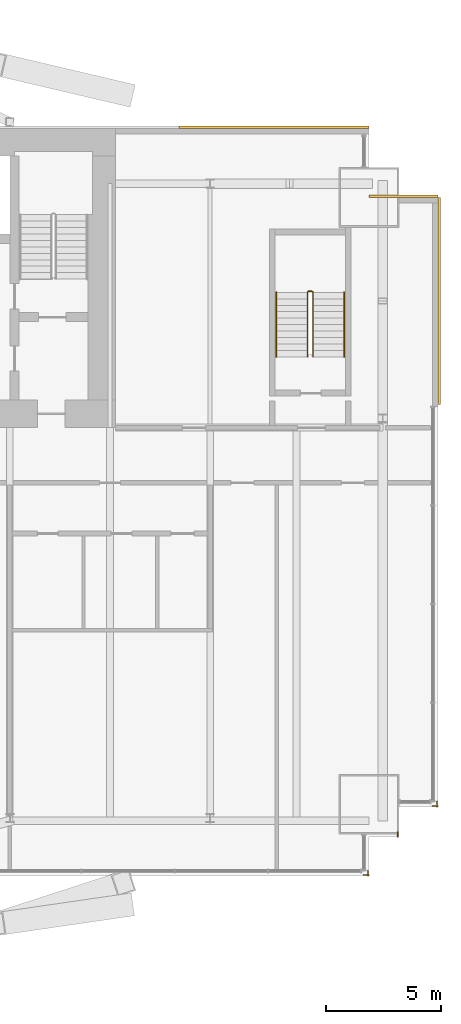
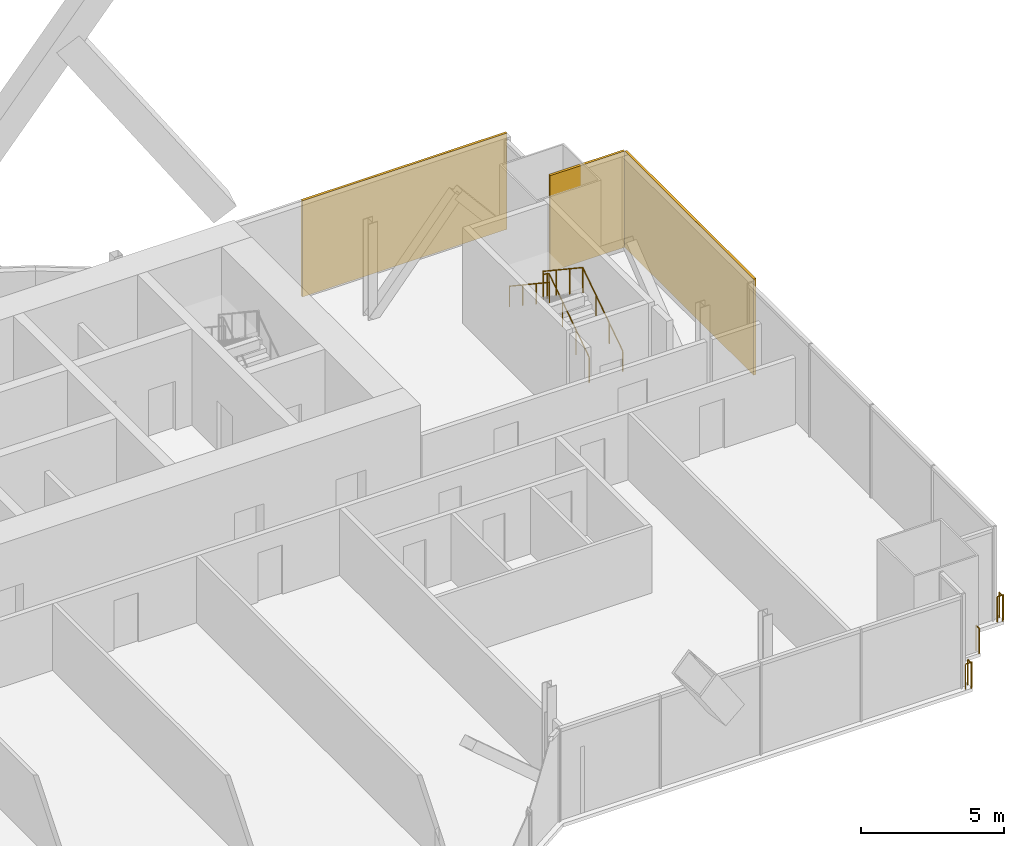
# One storey, part 22 of 22: 6 railings, 3 coverings.
"""IFC4 building model written with IfcOpenShell, lengths in metres."""

from ifc_helpers import new_model, si_unit, direction, frame, origin, origin_2d, place, context, subcontext, project, spatial, rectangle, circle, extrude, material, layer, layer_set, type_object, element, save


model = new_model("IFC4")

# Units and contexts
model_context = context("Model", 3, precision=1e-05, world=origin(), true_north=direction((0.0, 1.0)))
body_context = subcontext(model_context, "Body", "Model", "MODEL_VIEW")
ifc_project = project(units=[si_unit("LENGTHUNIT", "METRE"), si_unit("AREAUNIT", "SQUARE_METRE"), si_unit("VOLUMEUNIT", "CUBIC_METRE"), si_unit("PLANEANGLEUNIT", "RADIAN"), si_unit("MASSUNIT", "GRAM", prefix="KILO")], contexts=[model_context])

# Site, building, storey
site_placement = place(None, origin())
site = spatial("IfcSite", under=ifc_project, at=site_placement, CompositionType="ELEMENT")
building_placement = place(site_placement, origin())
building = spatial("IfcBuilding", under=site, at=building_placement, Name="Bicima Exchange Tower", CompositionType="ELEMENT")
storey_placement = place(building_placement, frame((0.0, 0.0, 203.199951171875)))
storey = spatial("IfcBuildingStorey", under=building, at=storey_placement, Name="L45", CompositionType="ELEMENT", Elevation=203.199951171875)

# Coverings
ifc_material_1 = material(Name="Bronze metal cladding")
ifc_layer_1 = layer(ifc_material_1, 0.004)
ifc_material_2 = material(Name="Ventilated cavity")
ifc_layer_2 = layer(ifc_material_2, 0.06)
ifc_material_3 = material(Name="Galvanised steel rail and mineral wool", Category="steel")
ifc_layer_3 = layer(ifc_material_3, 0.036)
ifc_layer_set = layer_set([ifc_layer_1, ifc_layer_2, ifc_layer_3], Name="Ventilated cavity")
covering_type = type_object("IfcCoveringType", Name="Bronze metal cladding panel 100", PredefinedType="CLADDING", material=ifc_layer_set)
covering_1_placement = place(storey_placement, frame((28.875, 0.050048828125, -0.14990234375), z_axis=(0.0, 0.0, 1.0), x_axis=(-1.0, 0.0, 0.0)))
element("IfcCovering", 1, at=covering_1_placement, inside=storey, type_object=covering_type, Name="Bronze cladding L45 1.1", PredefinedType="CLADDING", context=body_context, shape_type="SweptSolid", body=[
    extrude(rectangle(XDim=8.25, YDim=0.10009765625, at=origin_2d()), origin(), (0.0, 0.0, 1.0), 4.10009765625),
])
covering_2_placement = place(storey_placement, frame((36.050048828125, -7.5, -0.14990234375), z_axis=(0.0, 0.0, 1.0), x_axis=(0.0, 1.0, 0.0)))
element("IfcCovering", 2, at=covering_2_placement, inside=storey, type_object=covering_type, Name="Bronze cladding L45 50.1", PredefinedType="CLADDING", context=body_context, shape_type="SweptSolid", body=[
    extrude(rectangle(XDim=9.0, YDim=0.10009765625, at=origin_2d()), origin(), (0.0, 0.0, 1.0), 4.10009765625),
])
covering_3_placement = place(storey_placement, frame((34.5, -2.949951171875, -0.14990234375), z_axis=(0.0, 0.0, 1.0), x_axis=(-1.0, 0.0, 0.0)))
element("IfcCovering", 3, at=covering_3_placement, inside=storey, type_object=covering_type, Name="Bronze cladding L45 51.1", PredefinedType="CLADDING", context=body_context, shape_type="SweptSolid", body=[
    extrude(rectangle(XDim=3.0, YDim=0.10009765625, at=origin_2d()), origin(), (0.0, 0.0, 1.0), 4.10009765625),
])

# Railings
ifc_material_4 = material(Name="Stainless steel and bonded safety glass", Category="steel")
railing_type_1 = type_object("IfcRailingType", Name="Edge guard 1100", PredefinedType="GUARDRAIL", material=ifc_material_4)
railing_1_placement = place(storey_placement, frame((35.949951171875, -29.23388671875, 0.0)))
element("IfcRailing", 4, at=railing_1_placement, inside=storey, type_object=railing_type_1, Name="Edge guard L45 226", PredefinedType="GUARDRAIL", context=body_context, shape_type="SweptSolid", body=[
    extrude(circle(Radius=0.02392578125, at=origin_2d()), frame((0.0, 0.0, 1.076171875), z_axis=(0.0, -1.0, 0.0), x_axis=(1.0, 0.0, 0.0)), (0.0, 0.0, 1.0), 0.25),
    extrude(circle(Radius=0.02392578125, at=origin_2d()), frame((0.0, -0.25, 1.076171875), z_axis=(0.708833529934, 0.705375805398, 0.0), x_axis=(-0.705375805398, 0.708833529934, 0.0)), (0.0, 0.0, 1.0), 0.070556640625),
    extrude(circle(Radius=0.02392578125, at=origin_2d()), frame((0.050048828125, -0.2001953125, 1.076171875), z_axis=(-1.0, 0.0, 0.0), x_axis=(0.0, -1.0, 0.0)), (0.0, 0.0, 1.0), 0.242919921875),
    extrude(circle(Radius=0.02099609375, at=origin_2d()), origin(), (0.0, 0.0, 1.0), 1.052001953125),
    extrude(circle(Radius=0.02099609375, at=origin_2d()), frame((0.0, -0.25, 0.0)), (0.0, 0.0, 1.0), 1.052001953125),
    extrude(circle(Radius=0.02099609375, at=origin_2d()), frame((0.050048828125, -0.2001953125, 0.0)), (0.0, 0.0, 1.0), 1.052001953125),
    extrude(circle(Radius=0.02099609375, at=origin_2d()), frame((-0.19287109375, -0.2001953125, 0.0)), (0.0, 0.0, 1.0), 1.052001953125),
])
railing_2_placement = place(storey_placement, frame((34.25, -30.56689453125, 0.0)))
element("IfcRailing", 5, at=railing_2_placement, inside=storey, type_object=railing_type_1, Name="Edge guard L45 227", PredefinedType="GUARDRAIL", context=body_context, shape_type="SweptSolid", body=[
    extrude(circle(Radius=0.02392578125, at=origin_2d()), frame((0.0, 0.0, 1.076171875), z_axis=(0.0, -1.0, 0.0), x_axis=(1.0, 0.0, 0.0)), (0.0, 0.0, 1.0), 0.217041015625),
    extrude(circle(Radius=0.02099609375, at=origin_2d()), origin(), (0.0, 0.0, 1.0), 1.052001953125),
    extrude(circle(Radius=0.02099609375, at=origin_2d()), frame((0.0, -0.217041015625, 0.0)), (0.0, 0.0, 1.0), 1.052001953125),
])
railing_3_placement = place(storey_placement, frame((32.949951171875, -32.240966796875, 0.0)))
element("IfcRailing", 6, at=railing_3_placement, inside=storey, type_object=railing_type_1, Name="Edge guard L45 228", PredefinedType="GUARDRAIL", context=body_context, shape_type="SweptSolid", body=[
    extrude(circle(Radius=0.02392578125, at=origin_2d()), frame((0.0, 0.0, 1.076171875), z_axis=(0.0, -1.0, 0.0), x_axis=(1.0, 0.0, 0.0)), (0.0, 0.0, 1.0), 0.242919921875),
    extrude(circle(Radius=0.02392578125, at=origin_2d()), frame((0.0, -0.242919921875, 1.076171875), z_axis=(0.708833529934, 0.705375805398, 0.0), x_axis=(-0.705375805398, 0.708833529934, 0.0)), (0.0, 0.0, 1.0), 0.070556640625),
    extrude(circle(Radius=0.02392578125, at=origin_2d()), frame((0.050048828125, -0.193115234375, 1.076171875), z_axis=(-1.0, 0.0, 0.0), x_axis=(0.0, -1.0, 0.0)), (0.0, 0.0, 1.0), 0.25),
    extrude(circle(Radius=0.02099609375, at=origin_2d()), origin(), (0.0, 0.0, 1.0), 1.052001953125),
    extrude(circle(Radius=0.02099609375, at=origin_2d()), frame((0.0, -0.242919921875, 0.0)), (0.0, 0.0, 1.0), 1.052001953125),
    extrude(circle(Radius=0.02099609375, at=origin_2d()), frame((0.050048828125, -0.193115234375, 0.0)), (0.0, 0.0, 1.0), 1.052001953125),
    extrude(circle(Radius=0.02099609375, at=origin_2d()), frame((-0.199951171875, -0.193115234375, 0.0)), (0.0, 0.0, 1.0), 1.052001953125),
])
ifc_material_5 = material(Name="Stainless steel", Category="steel")
railing_type_2 = type_object("IfcRailingType", Name="Stair guard 1100", PredefinedType="GUARDRAIL", material=ifc_material_5)
railing_4_placement = place(storey_placement, frame((30.574951171875, -9.925048828125, 0.1865234375)))
element("IfcRailing", 7, at=railing_4_placement, inside=storey, type_object=railing_type_2, Name="L45 ST-EE stair guard 1", PredefinedType="GUARDRAIL", context=body_context, shape_type="SweptSolid", body=[
    extrude(circle(Radius=0.02392578125, at=origin_2d()), frame((0.0, 0.0, 1.076171875), z_axis=(0.0, 0.832485552168, 0.554046753832), x_axis=(-1.0, 0.0, 0.0)), (0.0, 0.0, 1.0), 3.363525390625),
    extrude(circle(Radius=0.02392578125, at=origin_2d()), frame((0.0, 2.800048828125, 2.939453125), z_axis=(-0.707106781187, 0.707106781187, 0.0), x_axis=(-0.707106781187, -0.707106781187, 0.0)), (0.0, 0.0, 1.0), 0.07080078125),
    extrude(circle(Radius=0.02392578125, at=origin_2d()), frame((-0.050048828125, 2.85009765625, 2.939453125), z_axis=(-1.0, 0.0, 0.0), x_axis=(0.0, -1.0, 0.0)), (0.0, 0.0, 1.0), 0.14990234375),
    extrude(circle(Radius=0.02392578125, at=origin_2d()), frame((-0.199951171875, 2.85009765625, 2.939453125), z_axis=(-0.251157038772, -0.251157038772, 0.934794246747), x_axis=(0.707106781187, -0.707106781187, 0.0)), (0.0, 0.0, 1.0), 0.19921875),
    extrude(circle(Radius=0.02392578125, at=origin_2d()), frame((-0.25, 2.800048828125, 3.1259765625), z_axis=(0.0, -0.832452072856, 0.554097055034), x_axis=(1.0, 0.0, 0.0)), (0.0, 0.0, 1.0), 3.363525390625),
    extrude(circle(Radius=0.02099609375, at=origin_2d()), origin(), (0.0, 0.0, 1.0), 1.052001953125),
    extrude(circle(Radius=0.02099609375, at=origin_2d()), frame((0.0, 0.933349609375, 0.62109375)), (0.0, 0.0, 1.0), 1.052001953125),
    extrude(circle(Radius=0.02099609375, at=origin_2d()), frame((0.0, 1.86669921875, 1.242431640625)), (0.0, 0.0, 1.0), 1.052001953125),
    extrude(circle(Radius=0.02099609375, at=origin_2d()), frame((0.0, 2.800048828125, 1.863525390625)), (0.0, 0.0, 1.0), 1.052001953125),
    extrude(circle(Radius=0.02099609375, at=origin_2d()), frame((-0.050048828125, 2.85009765625, 1.863525390625)), (0.0, 0.0, 1.0), 1.052001953125),
    extrude(circle(Radius=0.02099609375, at=origin_2d()), frame((-0.199951171875, 2.85009765625, 1.863525390625)), (0.0, 0.0, 1.0), 1.052001953125),
    extrude(circle(Radius=0.02099609375, at=origin_2d()), frame((-0.25, 2.800048828125, 2.0498046875)), (0.0, 0.0, 1.0), 1.052001953125),
    extrude(circle(Radius=0.02099609375, at=origin_2d()), frame((-0.25, 1.86669921875, 2.671142578125)), (0.0, 0.0, 1.0), 1.052001953125),
    extrude(circle(Radius=0.02099609375, at=origin_2d()), frame((-0.25, 0.933349609375, 3.292236328125)), (0.0, 0.0, 1.0), 1.052001953125),
    extrude(circle(Radius=0.02099609375, at=origin_2d()), frame((-0.25, 0.0, 3.91357421875)), (0.0, 0.0, 1.0), 1.052001953125),
])
railing_type_3 = type_object("IfcRailingType", Name="Stair handrail 900", PredefinedType="HANDRAIL", material=ifc_material_5)
railing_5_placement = place(storey_placement, frame((31.925048828125, -9.925048828125, 0.1865234375)))
element("IfcRailing", 8, at=railing_5_placement, inside=storey, type_object=railing_type_3, Name="L45 ST-EE stair handrail 1", PredefinedType="HANDRAIL", context=body_context, shape_type="SweptSolid", body=[
    extrude(circle(Radius=0.02392578125, at=origin_2d()), frame((0.0, 0.0, 0.8759765625), z_axis=(0.0, 0.832485552168, 0.554046753832), x_axis=(-1.0, 0.0, 0.0)), (0.0, 0.0, 1.0), 3.363525390625),
    extrude(circle(Radius=0.02099609375, at=origin_2d()), origin(), (0.0, 0.0, 1.0), 0.851806640625),
    extrude(circle(Radius=0.02099609375, at=origin_2d()), frame((0.0, 0.933349609375, 0.62109375)), (0.0, 0.0, 1.0), 0.851806640625),
    extrude(circle(Radius=0.02099609375, at=origin_2d()), frame((0.0, 1.86669921875, 1.242431640625)), (0.0, 0.0, 1.0), 0.851806640625),
    extrude(circle(Radius=0.02099609375, at=origin_2d()), frame((0.0, 2.800048828125, 1.863525390625)), (0.0, 0.0, 1.0), 0.851806640625),
])
railing_6_placement = place(storey_placement, frame((28.97509765625, -7.125, 2.27685546875)))
element("IfcRailing", 9, at=railing_6_placement, inside=storey, type_object=railing_type_3, Name="L45 ST-EE stair handrail 2", PredefinedType="HANDRAIL", context=body_context, shape_type="SweptSolid", body=[
    extrude(circle(Radius=0.02392578125, at=origin_2d()), frame((0.0, 0.0, 0.8759765625), z_axis=(0.0, -0.832485552168, 0.554046753832), x_axis=(1.0, 0.0, 0.0)), (0.0, 0.0, 1.0), 3.363525390625),
    extrude(circle(Radius=0.02099609375, at=origin_2d()), origin(), (0.0, 0.0, 1.0), 0.851806640625),
    extrude(circle(Radius=0.02099609375, at=origin_2d()), frame((0.0, -0.933349609375, 0.62109375)), (0.0, 0.0, 1.0), 0.851806640625),
    extrude(circle(Radius=0.02099609375, at=origin_2d()), frame((0.0, -1.86669921875, 1.242431640625)), (0.0, 0.0, 1.0), 0.851806640625),
    extrude(circle(Radius=0.02099609375, at=origin_2d()), frame((0.0, -2.800048828125, 1.863525390625)), (0.0, 0.0, 1.0), 0.851806640625),
])

save(model, "model.ifc")
